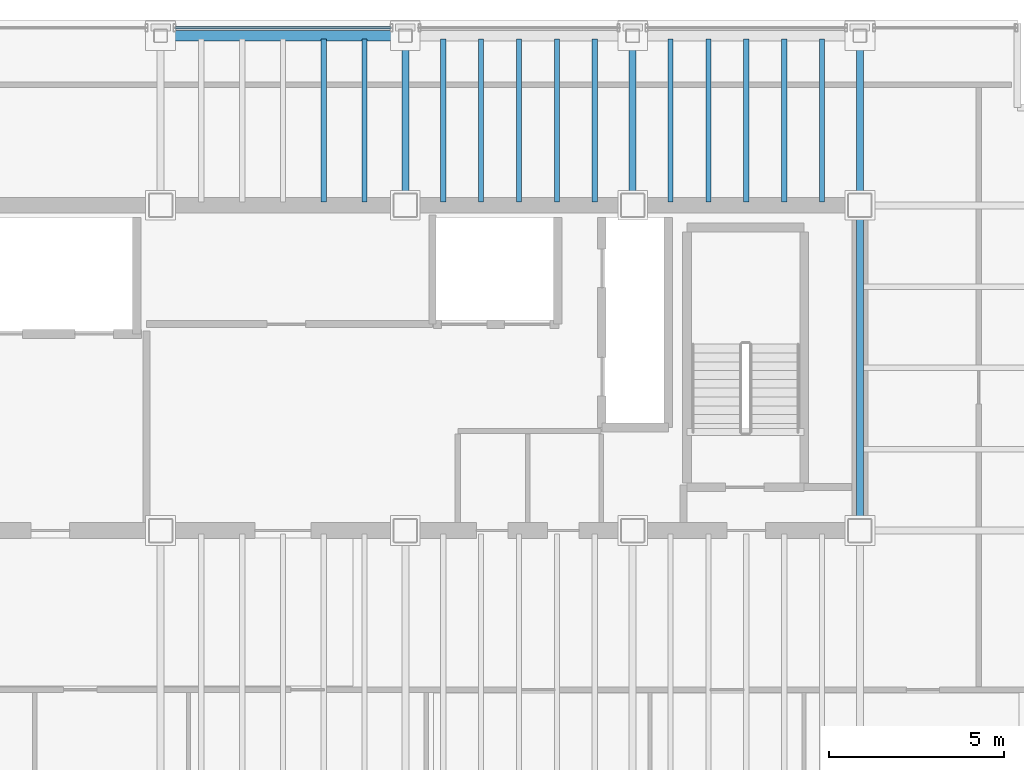
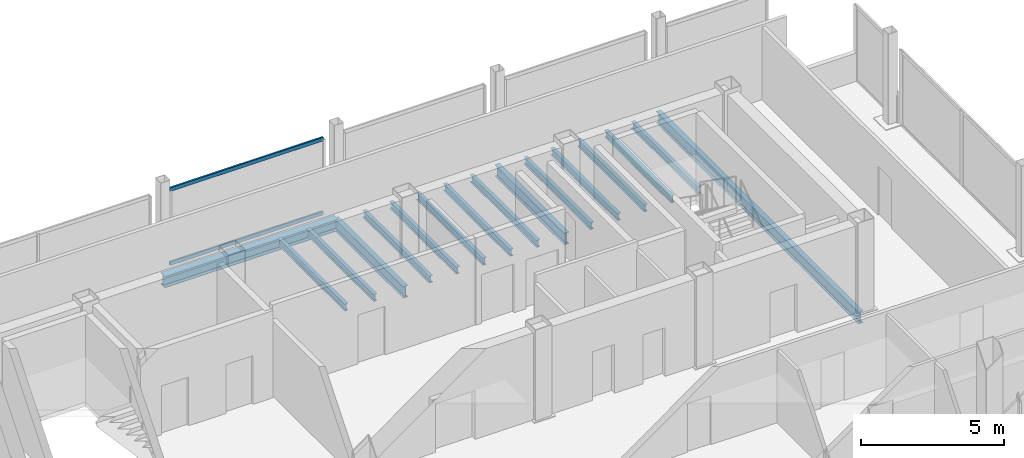
# One storey, part 9 of 17: 17 beams, 2 members, 1 element without a shape of its own.
"""IFC4 building model written with IfcOpenShell, lengths in metres."""

import ifcopenshell
import ifcopenshell.guid

model = None  # the IFC model being written
_history = None  # IfcOwnerHistory: only IFC2X3 demands one
_inside = {}  # id of a spatial element -> (the spatial element, [elements in it])
_under = {}  # id of a project, library or spatial element -> (it, [spatial elements below it])
_declared = {}  # id of a project -> (the project, [libraries it declares])
_typed = {}  # id of a type object -> (the type object, [elements of that type])
_made_of = {}  # id of a material, layer set ... -> (it, [elements and type objects made of it])


def new_model(schema):
    """Start an empty IFC model of exactly this schema.

    Asked for "IFC4X3", IfcOpenShell would pick the latest addendum, in which some entities
    have other attributes; the version numbers below select the first issue.
    IFC2X3 requires an IfcOwnerHistory on every rooted entity: one is made here for all.
    """
    global model, _history
    if schema == "IFC4X3":
        model = ifcopenshell.file(schema_version=(4, 3, 0, 0))
    else:
        model = ifcopenshell.file(schema=schema)
    _inside.clear()
    _under.clear()
    _declared.clear()
    _typed.clear()
    _made_of.clear()
    _history = None
    if model.schema == "IFC2X3":
        org = make("IfcOrganization", Name="unknown")
        user = make(
            "IfcPersonAndOrganization",
            ThePerson=make("IfcPerson", FamilyName="unknown"),
            TheOrganization=org,
        )
        app = make(
            "IfcApplication",
            ApplicationDeveloper=org,
            Version="unknown",
            ApplicationFullName="unknown",
            ApplicationIdentifier="unknown",
        )
        _history = make(
            "IfcOwnerHistory",
            OwningUser=user,
            OwningApplication=app,
            ChangeAction="ADDED",
            CreationDate=0,
        )
    return model


def make(cls, **values):
    """One entity of the class cls with the attributes given. An attribute that is None is left unset."""
    return model.create_entity(
        cls, **{name: value for name, value in values.items() if value is not None}
    )


def rooted(cls, **values):
    """An entity with a GlobalId (a new one), such as an element, a storey or a relation."""
    return make(cls, GlobalId=ifcopenshell.guid.new(), OwnerHistory=_history, **values)


def si_unit(unit_type, name, prefix=None):
    """IfcSIUnit, for example si_unit("LENGTHUNIT", "METRE", prefix="MILLI")."""
    return make("IfcSIUnit", UnitType=unit_type, Prefix=prefix, Name=name)


def assignment(units):
    """IfcUnitAssignment: the units of a project."""
    return None if units is None else make("IfcUnitAssignment", Units=units)


def point(xyz):
    """IfcCartesianPoint."""
    return None if xyz is None else make("IfcCartesianPoint", Coordinates=xyz)


def direction(xyz):
    """IfcDirection."""
    return None if xyz is None else make("IfcDirection", DirectionRatios=xyz)


def frame(location, z_axis=None, x_axis=None):
    """IfcAxis2Placement3D, a coordinate frame: its origin and axes. An axis left out is left unset."""
    return make(
        "IfcAxis2Placement3D",
        Location=point(location),
        Axis=direction(z_axis),
        RefDirection=direction(x_axis),
    )


def frame_2d(location, x_axis=None):
    """IfcAxis2Placement2D, a coordinate frame in the plane: its origin and x axis."""
    return make(
        "IfcAxis2Placement2D", Location=point(location), RefDirection=direction(x_axis)
    )


def origin():
    """The frame at (0, 0, 0) with its axes left unset."""
    return frame((0.0, 0.0, 0.0))


def origin_2d():
    """The frame at (0, 0) in the plane with its x axis left unset."""
    return frame_2d((0.0, 0.0))


def place(relative_to, where):
    """IfcLocalPlacement: puts the frame where relative to a parent placement (None: the world)."""
    return make(
        "IfcLocalPlacement", PlacementRelTo=relative_to, RelativePlacement=where
    )


def context(
    kind, dimensions, precision=None, world=None, true_north=None, identifier=None
):
    """IfcGeometricRepresentationContext, for example the 3D "Model" context."""
    return make(
        "IfcGeometricRepresentationContext",
        ContextIdentifier=identifier,
        ContextType=kind,
        CoordinateSpaceDimension=dimensions,
        Precision=precision,
        WorldCoordinateSystem=world,
        TrueNorth=true_north,
    )


def subcontext(parent, identifier, kind, view, scale=None):
    """IfcGeometricRepresentationSubContext, for example "Body" below "Model"."""
    return make(
        "IfcGeometricRepresentationSubContext",
        ContextIdentifier=identifier,
        ContextType=kind,
        ParentContext=parent,
        TargetScale=scale,
        TargetView=view,
    )


def project(units=None, contexts=None):
    """IfcProject with its units and contexts."""
    return rooted(
        "IfcProject",
        Name="project",
        RepresentationContexts=contexts,
        UnitsInContext=assignment(units),
    )


def spatial(cls, under=None, at=None, **own):
    """A site, building, storey or space (cls), placed at a placement, below another one or the project."""
    s = rooted(cls, ObjectPlacement=at, **own)
    if under is not None:
        _under.setdefault(under.id(), (under, []))[1].append(s)
    return s


def profile(cls, at=None, kind="AREA", **sizes):
    """A parametric profile (cls). Its sizes go by their IFC names, for example OverallWidth=200.0."""
    return make(cls, ProfileType=kind, Position=at, **sizes)


def hollow_rectangle(**sizes):
    """IfcRectangleHollowProfileDef."""
    return profile("IfcRectangleHollowProfileDef", **sizes)


def i_section(**sizes):
    """IfcIShapeProfileDef."""
    return profile("IfcIShapeProfileDef", **sizes)


def extrude(swept, where, along, depth):
    """IfcExtrudedAreaSolid: the profile swept, set in the frame where, extruded along a direction by depth."""
    return make(
        "IfcExtrudedAreaSolid",
        SweptArea=swept,
        Position=where,
        ExtrudedDirection=direction(along),
        Depth=depth,
    )


def shape(context_of_items, identifier, shape_type, items):
    """IfcShapeRepresentation: the items that make up one representation, for example the "Body"."""
    return make(
        "IfcShapeRepresentation",
        ContextOfItems=context_of_items,
        RepresentationIdentifier=identifier,
        RepresentationType=shape_type,
        Items=items,
    )


def material(Name=None, Category=None):
    """IfcMaterial."""
    return make("IfcMaterial", Name=Name, Category=Category)


def material_profile(
    of_material, cross_section, Name=None, Category=None, Priority=None
):
    """IfcMaterialProfile: a cross section and its material."""
    return make(
        "IfcMaterialProfile",
        Name=Name,
        Material=of_material,
        Profile=cross_section,
        Priority=Priority,
        Category=Category,
    )


def profile_set(profiles, Name=None, composite=None):
    """IfcMaterialProfileSet."""
    return make(
        "IfcMaterialProfileSet",
        Name=Name,
        MaterialProfiles=profiles,
        CompositeProfile=composite,
    )


def made_of(thing, what):
    """Note that an element or type object is made of a material, layer set ...; save() writes the relation."""
    if what is not None:
        _made_of.setdefault(what.id(), (what, []))[1].append(thing)
    return thing


def type_object(cls, material=None, **own):
    """A type object (cls), such as IfcWallType, which elements share."""
    return made_of(rooted(cls, **own), material)


def element(
    cls,
    number,
    at=None,
    inside=None,
    cuts=None,
    type_object=None,
    material=None,
    context=None,
    identifier="Body",
    shape_type=None,
    held_by="IfcProductDefinitionShape",
    body=None,
    shapes=None,
    **own,
):
    """One element of the class cls, such as IfcWall. Its Tag is "e" and its number.

    at: its placement. inside: the storey or other place that contains it. cuts: it is an
    opening in that element (IfcRelVoidsElement). A single representation is given by context,
    identifier, shape_type and body (its items); several are given by shapes. held_by: the class
    of the entity that holds the representations. save() writes the other relations.
    """
    e = rooted(cls, Tag="e%d" % number, ObjectPlacement=at, **own)
    if body is not None:
        shapes = [shape(context, identifier, shape_type, body)]
    if shapes is not None:
        e.Representation = make(held_by, Representations=shapes)
    if inside is not None:
        _inside.setdefault(inside.id(), (inside, []))[1].append(e)
    if cuts is not None:
        rooted(
            "IfcRelVoidsElement", RelatingBuildingElement=cuts, RelatedOpeningElement=e
        )
    if type_object is not None:
        _typed.setdefault(type_object.id(), (type_object, []))[1].append(e)
    return made_of(e, material)


def aggregate(whole, parts):
    """IfcRelAggregates: a whole, such as a stair, and the parts it consists of."""
    return rooted("IfcRelAggregates", RelatingObject=whole, RelatedObjects=parts)


def save(model, path):
    """Write the relations noted so far, then the file.

    IfcRelAggregates (storeys below a building ...), IfcRelContainedInSpatialStructure (elements
    in a storey), IfcRelDefinesByType, IfcRelAssociatesMaterial and IfcRelDeclares: one each for
    every whole, place, type object, material and project.
    """
    for whole, parts in _under.values():
        aggregate(whole, parts)
    for where, things in _inside.values():
        rooted(
            "IfcRelContainedInSpatialStructure",
            RelatedElements=things,
            RelatingStructure=where,
        )
    for kind, things in _typed.values():
        rooted("IfcRelDefinesByType", RelatedObjects=things, RelatingType=kind)
    for what, things in _made_of.values():
        rooted("IfcRelAssociatesMaterial", RelatedObjects=things, RelatingMaterial=what)
    for by, libraries in _declared.values():
        rooted("IfcRelDeclares", RelatingContext=by, RelatedDefinitions=libraries)
    model.write(path)


model = new_model("IFC4")

# Units and contexts
model_context = context("Model", 3, precision=1e-05, world=origin(), true_north=direction((0.0, 1.0)))
body_context = subcontext(model_context, "Body", "Model", "MODEL_VIEW")
ifc_project = project(units=[si_unit("LENGTHUNIT", "METRE"), si_unit("AREAUNIT", "SQUARE_METRE"), si_unit("VOLUMEUNIT", "CUBIC_METRE"), si_unit("PLANEANGLEUNIT", "RADIAN"), si_unit("MASSUNIT", "GRAM", prefix="KILO")], contexts=[model_context])

# Site, building, storey
site_placement = place(None, origin())
site = spatial("IfcSite", under=ifc_project, at=site_placement, CompositionType="ELEMENT")
building_placement = place(site_placement, origin())
building = spatial("IfcBuilding", under=site, at=building_placement, Name="Noeulbin Bourse Tower", CompositionType="ELEMENT")
storey_placement = place(building_placement, frame((0.0, 0.0, 289.10009765625)))
storey = spatial("IfcBuildingStorey", under=building, at=storey_placement, Name="L72", CompositionType="ELEMENT", Elevation=289.10009765625)

# Beams
ifc_material_1 = material(Name="Steel S355", Category="steel")
ifc_material_profile_1 = material_profile(ifc_material_1, i_section(OverallWidth=0.199951171875, OverallDepth=0.5, WebThickness=0.010009765625, FlangeThickness=0.01611328125, FilletRadius=0.02001953125, at=origin_2d()), Name="H-500x200x10x16", Category="LoadBearing")
ifc_profile_set_1 = profile_set([ifc_material_profile_1], Name="Steel S355")
beam_type_1 = type_object("IfcBeamType", Name="BM-GRD-500", PredefinedType="USERDEFINED", material=ifc_profile_set_1)
for number, where, z_axis, x_axis, name in (
    (1, (31.0, 38.300048828125, -0.43017578125), (0.0, 1.0, 0.0), (-1.0, 0.0, 0.0), "Tower Primary Girder NS L72-3.4"),
    (2, (37.5, 38.300048828125, -0.43017578125), (0.0, 1.0, 0.0), (-1.0, 0.0, 0.0), "Tower Primary Girder NS L72-4.4"),
):
    element("IfcBeam", number, at=place(storey_placement, frame(where, z_axis=z_axis, x_axis=x_axis)), inside=storey, type_object=beam_type_1, Name=name, ObjectType="GIRDER", PredefinedType="USERDEFINED", context=body_context, shape_type="SweptSolid", body=[
        extrude(i_section(OverallWidth=0.199951171875, OverallDepth=0.5, WebThickness=0.010009765625, FlangeThickness=0.01611328125, FilletRadius=0.02001953125, at=origin_2d()), origin(), (0.0, 0.0, 1.0), 4.849853515625),
    ])
beam_1_placement = place(storey_placement, frame((44.0, 29.0, -0.43017578125), z_axis=(0.0, 1.0, 0.0), x_axis=(-1.0, 0.0, 0.0)))
element("IfcBeam", 3, at=beam_1_placement, inside=storey, type_object=beam_type_1, Name="Tower Primary Girder NS L72-5.3", ObjectType="GIRDER", PredefinedType="USERDEFINED", context=body_context, shape_type="SweptSolid", body=[
    extrude(i_section(OverallWidth=0.199951171875, OverallDepth=0.5, WebThickness=0.010009765625, FlangeThickness=0.01611328125, FilletRadius=0.02001953125, at=origin_2d()), origin(), (0.0, 0.0, 1.0), 9.300048828125),
])
beam_2_placement = place(storey_placement, frame((44.0, 38.300048828125, -0.43017578125), z_axis=(0.0, 1.0, 0.0), x_axis=(-1.0, 0.0, 0.0)))
element("IfcBeam", 4, at=beam_2_placement, inside=storey, type_object=beam_type_1, Name="Tower Primary Girder NS L72-5.4", ObjectType="GIRDER", PredefinedType="USERDEFINED", context=body_context, shape_type="SweptSolid", body=[
    extrude(i_section(OverallWidth=0.199951171875, OverallDepth=0.5, WebThickness=0.010009765625, FlangeThickness=0.01611328125, FilletRadius=0.02001953125, at=origin_2d()), origin(), (0.0, 0.0, 1.0), 4.849853515625),
])
ifc_material_profile_2 = material_profile(ifc_material_1, i_section(OverallWidth=0.14990234375, OverallDepth=0.300048828125, WebThickness=0.006591796875, FlangeThickness=0.009033203125, FilletRadius=0.012939453125, at=origin_2d()), Name="H-300x150x6.5x9", Category="LoadBearing")
ifc_profile_set_2 = profile_set([ifc_material_profile_2], Name="Steel S355")
beam_type_2 = type_object("IfcBeamType", Name="BM-JST-300", PredefinedType="JOIST", material=ifc_profile_set_2)
for number, where, z_axis, x_axis, name in (
    (5, (28.666748046875, 38.39990234375, -0.330078125), (0.0, 1.0, 0.0), (-1.0, 0.0, 0.0), "Tower Composite Joist L72-08"),
    (6, (29.833251953125, 38.39990234375, -0.330078125), (0.0, 1.0, 0.0), (-1.0, 0.0, 0.0), "Tower Composite Joist L72-10"),
    (7, (32.083251953125, 38.39990234375, -0.330078125), (0.0, 1.0, 0.0), (-1.0, 0.0, 0.0), "Tower Composite Joist L72-12"),
    (8, (33.166748046875, 38.39990234375, -0.330078125), (0.0, 1.0, 0.0), (-1.0, 0.0, 0.0), "Tower Composite Joist L72-14"),
    (9, (34.25, 38.39990234375, -0.330078125), (0.0, 1.0, 0.0), (-1.0, 0.0, 0.0), "Tower Composite Joist L72-16"),
    (10, (35.333251953125, 38.39990234375, -0.330078125), (0.0, 1.0, 0.0), (-1.0, 0.0, 0.0), "Tower Composite Joist L72-18"),
    (11, (36.416748046875, 38.39990234375, -0.330078125), (0.0, 1.0, 0.0), (-1.0, 0.0, 0.0), "Tower Composite Joist L72-20"),
    (12, (38.583251953125, 38.39990234375, -0.330078125), (0.0, 1.0, 0.0), (-1.0, 0.0, 0.0), "Tower Composite Joist L72-22"),
    (13, (39.666748046875, 38.39990234375, -0.330078125), (0.0, 1.0, 0.0), (-1.0, 0.0, 0.0), "Tower Composite Joist L72-24"),
    (14, (40.75, 38.39990234375, -0.330078125), (0.0, 1.0, 0.0), (-1.0, 0.0, 0.0), "Tower Composite Joist L72-26"),
    (15, (41.833251953125, 38.39990234375, -0.330078125), (0.0, 1.0, 0.0), (-1.0, 0.0, 0.0), "Tower Composite Joist L72-28"),
    (16, (42.916748046875, 38.39990234375, -0.330078125), (0.0, 1.0, 0.0), (-1.0, 0.0, 0.0), "Tower Composite Joist L72-30"),
):
    element("IfcBeam", number, at=place(storey_placement, frame(where, z_axis=z_axis, x_axis=x_axis)), inside=storey, type_object=beam_type_2, Name=name, PredefinedType="JOIST", context=body_context, shape_type="SweptSolid", body=[
        extrude(i_section(OverallWidth=0.14990234375, OverallDepth=0.300048828125, WebThickness=0.006591796875, FlangeThickness=0.009033203125, FilletRadius=0.012939453125, at=origin_2d()), origin(), (0.0, 0.0, 1.0), 4.650146484375),
    ])
ifc_material_profile_3 = material_profile(ifc_material_1, i_section(OverallWidth=0.300048828125, OverallDepth=0.488037109375, WebThickness=0.010986328125, FlangeThickness=0.01806640625, FilletRadius=0.02197265625, at=origin_2d()), Name="H-488x300x11x18", Category="LoadBearing")
ifc_profile_set_3 = profile_set([ifc_material_profile_3], Name="Steel S355")
beam_type_3 = type_object("IfcBeamType", Name="BM-SPN-488", PredefinedType="SPANDREL", material=ifc_profile_set_3)
beam_3_placement = place(storey_placement, frame((24.0, 43.14990234375, -0.424072265625), z_axis=(1.0, 0.0, 0.0), x_axis=(0.0, 1.0, 0.0)))
element("IfcBeam", 17, at=beam_3_placement, inside=storey, type_object=beam_type_3, Name="North Spandrel L72-1", PredefinedType="SPANDREL", context=body_context, shape_type="SweptSolid", body=[
    extrude(i_section(OverallWidth=0.300048828125, OverallDepth=0.488037109375, WebThickness=0.010986328125, FlangeThickness=0.01806640625, FilletRadius=0.02197265625, at=origin_2d()), origin(), (0.0, 0.0, 1.0), 7.0),
])

# Curtain wall, members
ifc_material_2 = material(Name="High-Selectivity Low-Iron Glazing", Category="glass")
curtain_wall_type = type_object("IfcCurtainWallType", Name="CW-SYS-4", PredefinedType="NOTDEFINED", material=ifc_material_2)
curtain_wall_placement = place(storey_placement, origin())
curtain_wall = element("IfcCurtainWall", 18, at=curtain_wall_placement, inside=storey, type_object=curtain_wall_type, Name="Unitised Curtain Wall CW-L72-N-S2", PredefinedType="NOTDEFINED")
ifc_material_3 = material(Name="Anodised Aluminium 6063-T6", Category="aluminium")
ifc_material_profile_4 = material_profile(ifc_material_3, hollow_rectangle(XDim=0.074951171875, YDim=0.159912109375, WallThickness=0.0048828125, InnerFilletRadius=0.00244140625, OuterFilletRadius=0.0048828125, at=origin_2d()), Name="ALU-TRAN-75x160x5", Category="LoadBearing")
ifc_profile_set_4 = profile_set([ifc_material_profile_4], Name="Anodised Aluminium 6063-T6")
member_type = type_object("IfcMemberType", Name="CW-SYS-4-TRN", PredefinedType="USERDEFINED", material=ifc_profile_set_4)
member_1_placement = place(storey_placement, frame((24.409912109375, 43.3798828125, 0.010009765625), z_axis=(1.0, 0.0, 0.0), x_axis=(0.0, 1.0, 0.0)))
member_1 = element("IfcMember", 19, at=member_1_placement, type_object=member_type, Name="Curtain Wall Transom CW-L72-N-S2-T00", ObjectType="TRANSOM", PredefinedType="USERDEFINED", context=body_context, shape_type="SweptSolid", body=[
    extrude(hollow_rectangle(XDim=0.074951171875, YDim=0.159912109375, WallThickness=0.0048828125, InnerFilletRadius=0.00244140625, OuterFilletRadius=0.0048828125, at=origin_2d()), origin(), (0.0, 0.0, 1.0), 6.18017578125),
])
member_2_placement = place(storey_placement, frame((24.409912109375, 43.3798828125, 3.169921875), z_axis=(1.0, 0.0, 0.0), x_axis=(0.0, 1.0, 0.0)))
member_2 = element("IfcMember", 20, at=member_2_placement, type_object=member_type, Name="Curtain Wall Transom CW-L72-N-S2-T01", ObjectType="TRANSOM", PredefinedType="USERDEFINED", context=body_context, shape_type="SweptSolid", body=[
    extrude(hollow_rectangle(XDim=0.074951171875, YDim=0.159912109375, WallThickness=0.0048828125, InnerFilletRadius=0.00244140625, OuterFilletRadius=0.0048828125, at=origin_2d()), origin(), (0.0, 0.0, 1.0), 6.18017578125),
])
aggregate(curtain_wall, [member_1, member_2])

save(model, "model.ifc")
